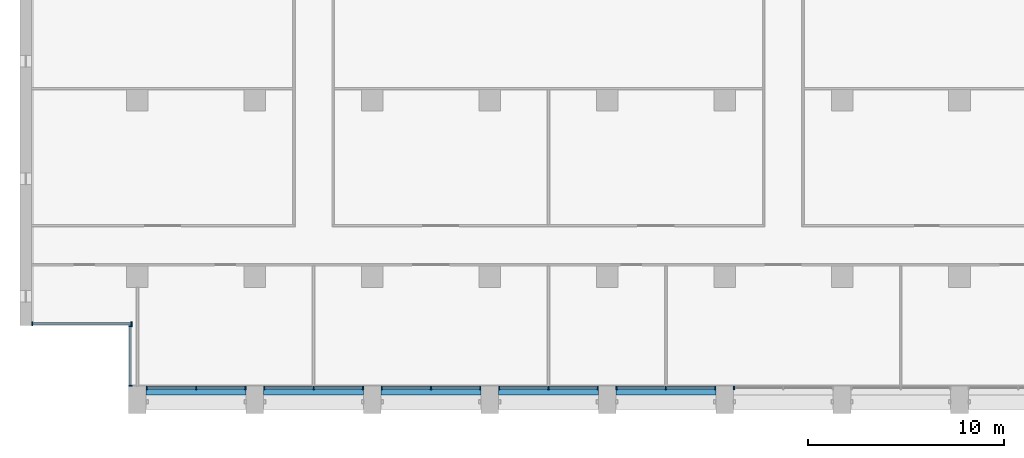
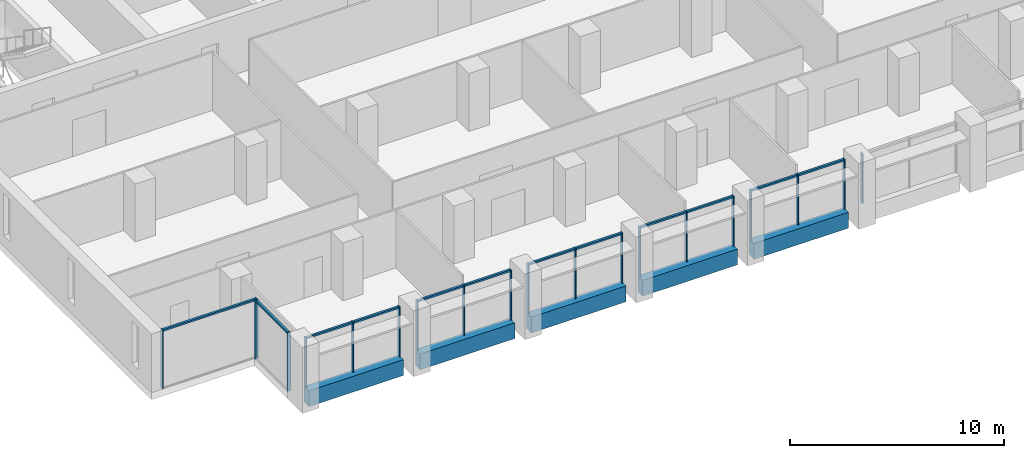
# One storey, part 2 of 17: 32 members, 5 beams, 8 elements without a shape of their own.
"""IFC4 building model written with IfcOpenShell, lengths in metres."""

import ifcopenshell
import ifcopenshell.guid

model = None  # the IFC model being written
_history = None  # IfcOwnerHistory: only IFC2X3 demands one
_inside = {}  # id of a spatial element -> (the spatial element, [elements in it])
_under = {}  # id of a project, library or spatial element -> (it, [spatial elements below it])
_declared = {}  # id of a project -> (the project, [libraries it declares])
_typed = {}  # id of a type object -> (the type object, [elements of that type])
_made_of = {}  # id of a material, layer set ... -> (it, [elements and type objects made of it])


def new_model(schema):
    """Start an empty IFC model of exactly this schema.

    Asked for "IFC4X3", IfcOpenShell would pick the latest addendum, in which some entities
    have other attributes; the version numbers below select the first issue.
    IFC2X3 requires an IfcOwnerHistory on every rooted entity: one is made here for all.
    """
    global model, _history
    if schema == "IFC4X3":
        model = ifcopenshell.file(schema_version=(4, 3, 0, 0))
    else:
        model = ifcopenshell.file(schema=schema)
    _inside.clear()
    _under.clear()
    _declared.clear()
    _typed.clear()
    _made_of.clear()
    _history = None
    if model.schema == "IFC2X3":
        org = make("IfcOrganization", Name="unknown")
        user = make(
            "IfcPersonAndOrganization",
            ThePerson=make("IfcPerson", FamilyName="unknown"),
            TheOrganization=org,
        )
        app = make(
            "IfcApplication",
            ApplicationDeveloper=org,
            Version="unknown",
            ApplicationFullName="unknown",
            ApplicationIdentifier="unknown",
        )
        _history = make(
            "IfcOwnerHistory",
            OwningUser=user,
            OwningApplication=app,
            ChangeAction="ADDED",
            CreationDate=0,
        )
    return model


def make(cls, **values):
    """One entity of the class cls with the attributes given. An attribute that is None is left unset."""
    return model.create_entity(
        cls, **{name: value for name, value in values.items() if value is not None}
    )


def rooted(cls, **values):
    """An entity with a GlobalId (a new one), such as an element, a storey or a relation."""
    return make(cls, GlobalId=ifcopenshell.guid.new(), OwnerHistory=_history, **values)


def si_unit(unit_type, name, prefix=None):
    """IfcSIUnit, for example si_unit("LENGTHUNIT", "METRE", prefix="MILLI")."""
    return make("IfcSIUnit", UnitType=unit_type, Prefix=prefix, Name=name)


def assignment(units):
    """IfcUnitAssignment: the units of a project."""
    return None if units is None else make("IfcUnitAssignment", Units=units)


def point(xyz):
    """IfcCartesianPoint."""
    return None if xyz is None else make("IfcCartesianPoint", Coordinates=xyz)


def direction(xyz):
    """IfcDirection."""
    return None if xyz is None else make("IfcDirection", DirectionRatios=xyz)


def frame(location, z_axis=None, x_axis=None):
    """IfcAxis2Placement3D, a coordinate frame: its origin and axes. An axis left out is left unset."""
    return make(
        "IfcAxis2Placement3D",
        Location=point(location),
        Axis=direction(z_axis),
        RefDirection=direction(x_axis),
    )


def frame_2d(location, x_axis=None):
    """IfcAxis2Placement2D, a coordinate frame in the plane: its origin and x axis."""
    return make(
        "IfcAxis2Placement2D", Location=point(location), RefDirection=direction(x_axis)
    )


def origin():
    """The frame at (0, 0, 0) with its axes left unset."""
    return frame((0.0, 0.0, 0.0))


def origin_2d():
    """The frame at (0, 0) in the plane with its x axis left unset."""
    return frame_2d((0.0, 0.0))


def place(relative_to, where):
    """IfcLocalPlacement: puts the frame where relative to a parent placement (None: the world)."""
    return make(
        "IfcLocalPlacement", PlacementRelTo=relative_to, RelativePlacement=where
    )


def context(
    kind, dimensions, precision=None, world=None, true_north=None, identifier=None
):
    """IfcGeometricRepresentationContext, for example the 3D "Model" context."""
    return make(
        "IfcGeometricRepresentationContext",
        ContextIdentifier=identifier,
        ContextType=kind,
        CoordinateSpaceDimension=dimensions,
        Precision=precision,
        WorldCoordinateSystem=world,
        TrueNorth=true_north,
    )


def subcontext(parent, identifier, kind, view, scale=None):
    """IfcGeometricRepresentationSubContext, for example "Body" below "Model"."""
    return make(
        "IfcGeometricRepresentationSubContext",
        ContextIdentifier=identifier,
        ContextType=kind,
        ParentContext=parent,
        TargetScale=scale,
        TargetView=view,
    )


def project(units=None, contexts=None):
    """IfcProject with its units and contexts."""
    return rooted(
        "IfcProject",
        Name="project",
        RepresentationContexts=contexts,
        UnitsInContext=assignment(units),
    )


def spatial(cls, under=None, at=None, **own):
    """A site, building, storey or space (cls), placed at a placement, below another one or the project."""
    s = rooted(cls, ObjectPlacement=at, **own)
    if under is not None:
        _under.setdefault(under.id(), (under, []))[1].append(s)
    return s


def profile(cls, at=None, kind="AREA", **sizes):
    """A parametric profile (cls). Its sizes go by their IFC names, for example OverallWidth=200.0."""
    return make(cls, ProfileType=kind, Position=at, **sizes)


def rectangle(**sizes):
    """IfcRectangleProfileDef."""
    return profile("IfcRectangleProfileDef", **sizes)


def extrude(swept, where, along, depth):
    """IfcExtrudedAreaSolid: the profile swept, set in the frame where, extruded along a direction by depth."""
    return make(
        "IfcExtrudedAreaSolid",
        SweptArea=swept,
        Position=where,
        ExtrudedDirection=direction(along),
        Depth=depth,
    )


def shape(context_of_items, identifier, shape_type, items):
    """IfcShapeRepresentation: the items that make up one representation, for example the "Body"."""
    return make(
        "IfcShapeRepresentation",
        ContextOfItems=context_of_items,
        RepresentationIdentifier=identifier,
        RepresentationType=shape_type,
        Items=items,
    )


def material(Name=None, Category=None):
    """IfcMaterial."""
    return make("IfcMaterial", Name=Name, Category=Category)


def material_profile(
    of_material, cross_section, Name=None, Category=None, Priority=None
):
    """IfcMaterialProfile: a cross section and its material."""
    return make(
        "IfcMaterialProfile",
        Name=Name,
        Material=of_material,
        Profile=cross_section,
        Priority=Priority,
        Category=Category,
    )


def profile_set(profiles, Name=None, composite=None):
    """IfcMaterialProfileSet."""
    return make(
        "IfcMaterialProfileSet",
        Name=Name,
        MaterialProfiles=profiles,
        CompositeProfile=composite,
    )


def made_of(thing, what):
    """Note that an element or type object is made of a material, layer set ...; save() writes the relation."""
    if what is not None:
        _made_of.setdefault(what.id(), (what, []))[1].append(thing)
    return thing


def type_object(cls, material=None, **own):
    """A type object (cls), such as IfcWallType, which elements share."""
    return made_of(rooted(cls, **own), material)


def element(
    cls,
    number,
    at=None,
    inside=None,
    cuts=None,
    type_object=None,
    material=None,
    context=None,
    identifier="Body",
    shape_type=None,
    held_by="IfcProductDefinitionShape",
    body=None,
    shapes=None,
    **own,
):
    """One element of the class cls, such as IfcWall. Its Tag is "e" and its number.

    at: its placement. inside: the storey or other place that contains it. cuts: it is an
    opening in that element (IfcRelVoidsElement). A single representation is given by context,
    identifier, shape_type and body (its items); several are given by shapes. held_by: the class
    of the entity that holds the representations. save() writes the other relations.
    """
    e = rooted(cls, Tag="e%d" % number, ObjectPlacement=at, **own)
    if body is not None:
        shapes = [shape(context, identifier, shape_type, body)]
    if shapes is not None:
        e.Representation = make(held_by, Representations=shapes)
    if inside is not None:
        _inside.setdefault(inside.id(), (inside, []))[1].append(e)
    if cuts is not None:
        rooted(
            "IfcRelVoidsElement", RelatingBuildingElement=cuts, RelatedOpeningElement=e
        )
    if type_object is not None:
        _typed.setdefault(type_object.id(), (type_object, []))[1].append(e)
    return made_of(e, material)


def aggregate(whole, parts):
    """IfcRelAggregates: a whole, such as a stair, and the parts it consists of."""
    return rooted("IfcRelAggregates", RelatingObject=whole, RelatedObjects=parts)


def save(model, path):
    """Write the relations noted so far, then the file.

    IfcRelAggregates (storeys below a building ...), IfcRelContainedInSpatialStructure (elements
    in a storey), IfcRelDefinesByType, IfcRelAssociatesMaterial and IfcRelDeclares: one each for
    every whole, place, type object, material and project.
    """
    for whole, parts in _under.values():
        aggregate(whole, parts)
    for where, things in _inside.values():
        rooted(
            "IfcRelContainedInSpatialStructure",
            RelatedElements=things,
            RelatingStructure=where,
        )
    for kind, things in _typed.values():
        rooted("IfcRelDefinesByType", RelatedObjects=things, RelatingType=kind)
    for what, things in _made_of.values():
        rooted("IfcRelAssociatesMaterial", RelatedObjects=things, RelatingMaterial=what)
    for by, libraries in _declared.values():
        rooted("IfcRelDeclares", RelatingContext=by, RelatedDefinitions=libraries)
    model.write(path)


model = new_model("IFC4")

# Units and contexts
model_context = context("Model", 3, precision=1e-05, world=origin(), true_north=direction((0.0, 1.0)))
body_context = subcontext(model_context, "Body", "Model", "MODEL_VIEW")
ifc_project = project(units=[si_unit("LENGTHUNIT", "METRE"), si_unit("AREAUNIT", "SQUARE_METRE"), si_unit("VOLUMEUNIT", "CUBIC_METRE"), si_unit("PLANEANGLEUNIT", "RADIAN"), si_unit("MASSUNIT", "GRAM", prefix="KILO")], contexts=[model_context])

# Site, building, storey
site_placement = place(None, origin())
site = spatial("IfcSite", under=ifc_project, at=site_placement, CompositionType="ELEMENT")
building_placement = place(site_placement, origin())
building = spatial("IfcBuilding", under=site, at=building_placement, Name="Calvaro Tower", CompositionType="ELEMENT")
storey_placement = place(building_placement, frame((0.0, 0.0, 193.0)))
storey = spatial("IfcBuildingStorey", under=building, at=storey_placement, Name="L48", CompositionType="ELEMENT", Elevation=193.0)

# Curtain wall, members
ifc_material_1 = material(Name="Anodised aluminium", Category="aluminium")
curtain_wall_type = type_object("IfcCurtainWallType", Name="Office curtain wall, upper zone", PredefinedType="NOTDEFINED", material=ifc_material_1)
curtain_wall_1_placement = place(storey_placement, origin())
curtain_wall_1 = element("IfcCurtainWall", 1, at=curtain_wall_1_placement, inside=storey, type_object=curtain_wall_type, Name="CW3 south curtain wall", PredefinedType="NOTDEFINED")
ifc_material_2 = material(Name="Anodised aluminium", Category="aluminium")
ifc_material_profile_1 = material_profile(ifc_material_2, rectangle(XDim=0.179931640625, YDim=0.06005859375, at=origin_2d()), Name="Mullion S3 60 x 180")
ifc_profile_set_1 = profile_set([ifc_material_profile_1], Name="Anodised aluminium")
member_type_1 = type_object("IfcMemberType", Name="Mullion S3 60 x 180", PredefinedType="MULLION", material=ifc_profile_set_1)
member_1_placement = place(storey_placement, frame((12.47998046875, 4.31005859375, 0.0), z_axis=(0.0, 0.0, 1.0), x_axis=(0.0, 1.0, 0.0)))
member_1 = element("IfcMember", 2, at=member_1_placement, type_object=member_type_1, Name="CW3 mullion 1", PredefinedType="MULLION", context=body_context, shape_type="SweptSolid", body=[
    extrude(rectangle(XDim=0.179931640625, YDim=0.06005859375, at=origin_2d()), origin(), (0.0, 0.0, 1.0), 2.85009765625),
])
member_2_placement = place(storey_placement, frame((15.0, 4.31005859375, 0.0), z_axis=(0.0, 0.0, 1.0), x_axis=(0.0, 1.0, 0.0)))
member_2 = element("IfcMember", 3, at=member_2_placement, type_object=member_type_1, Name="CW3 mullion 2", PredefinedType="MULLION", context=body_context, shape_type="SweptSolid", body=[
    extrude(rectangle(XDim=0.179931640625, YDim=0.06005859375, at=origin_2d()), origin(), (0.0, 0.0, 1.0), 2.85009765625),
])
member_3_placement = place(storey_placement, frame((17.52001953125, 4.31005859375, 0.0), z_axis=(0.0, 0.0, 1.0), x_axis=(0.0, 1.0, 0.0)))
member_3 = element("IfcMember", 4, at=member_3_placement, type_object=member_type_1, Name="CW3 mullion 3", PredefinedType="MULLION", context=body_context, shape_type="SweptSolid", body=[
    extrude(rectangle(XDim=0.179931640625, YDim=0.06005859375, at=origin_2d()), origin(), (0.0, 0.0, 1.0), 2.85009765625),
])

curtain_wall_2_placement = place(storey_placement, origin())
curtain_wall_2 = element("IfcCurtainWall", 5, at=curtain_wall_2_placement, inside=storey, type_object=curtain_wall_type, Name="CW3 south curtain wall", PredefinedType="NOTDEFINED")
member_4_placement = place(storey_placement, frame((18.47998046875, 4.31005859375, 0.0), z_axis=(0.0, 0.0, 1.0), x_axis=(0.0, 1.0, 0.0)))
member_4 = element("IfcMember", 6, at=member_4_placement, type_object=member_type_1, Name="CW3 mullion 1", PredefinedType="MULLION", context=body_context, shape_type="SweptSolid", body=[
    extrude(rectangle(XDim=0.179931640625, YDim=0.06005859375, at=origin_2d()), origin(), (0.0, 0.0, 1.0), 2.85009765625),
])
member_5_placement = place(storey_placement, frame((21.0, 4.31005859375, 0.0), z_axis=(0.0, 0.0, 1.0), x_axis=(0.0, 1.0, 0.0)))
member_5 = element("IfcMember", 7, at=member_5_placement, type_object=member_type_1, Name="CW3 mullion 2", PredefinedType="MULLION", context=body_context, shape_type="SweptSolid", body=[
    extrude(rectangle(XDim=0.179931640625, YDim=0.06005859375, at=origin_2d()), origin(), (0.0, 0.0, 1.0), 2.85009765625),
])
member_6_placement = place(storey_placement, frame((23.52001953125, 4.31005859375, 0.0), z_axis=(0.0, 0.0, 1.0), x_axis=(0.0, 1.0, 0.0)))
member_6 = element("IfcMember", 8, at=member_6_placement, type_object=member_type_1, Name="CW3 mullion 3", PredefinedType="MULLION", context=body_context, shape_type="SweptSolid", body=[
    extrude(rectangle(XDim=0.179931640625, YDim=0.06005859375, at=origin_2d()), origin(), (0.0, 0.0, 1.0), 2.85009765625),
])

curtain_wall_3_placement = place(storey_placement, origin())
curtain_wall_3 = element("IfcCurtainWall", 9, at=curtain_wall_3_placement, inside=storey, type_object=curtain_wall_type, Name="CW3 south curtain wall", PredefinedType="NOTDEFINED")
member_7_placement = place(storey_placement, frame((24.47998046875, 4.31005859375, 0.0), z_axis=(0.0, 0.0, 1.0), x_axis=(0.0, 1.0, 0.0)))
member_7 = element("IfcMember", 10, at=member_7_placement, type_object=member_type_1, Name="CW3 mullion 1", PredefinedType="MULLION", context=body_context, shape_type="SweptSolid", body=[
    extrude(rectangle(XDim=0.179931640625, YDim=0.06005859375, at=origin_2d()), origin(), (0.0, 0.0, 1.0), 2.85009765625),
])
member_8_placement = place(storey_placement, frame((27.0, 4.31005859375, 0.0), z_axis=(0.0, 0.0, 1.0), x_axis=(0.0, 1.0, 0.0)))
member_8 = element("IfcMember", 11, at=member_8_placement, type_object=member_type_1, Name="CW3 mullion 2", PredefinedType="MULLION", context=body_context, shape_type="SweptSolid", body=[
    extrude(rectangle(XDim=0.179931640625, YDim=0.06005859375, at=origin_2d()), origin(), (0.0, 0.0, 1.0), 2.85009765625),
])
member_9_placement = place(storey_placement, frame((29.52001953125, 4.31005859375, 0.0), z_axis=(0.0, 0.0, 1.0), x_axis=(0.0, 1.0, 0.0)))
member_9 = element("IfcMember", 12, at=member_9_placement, type_object=member_type_1, Name="CW3 mullion 3", PredefinedType="MULLION", context=body_context, shape_type="SweptSolid", body=[
    extrude(rectangle(XDim=0.179931640625, YDim=0.06005859375, at=origin_2d()), origin(), (0.0, 0.0, 1.0), 2.85009765625),
])

curtain_wall_4_placement = place(storey_placement, origin())
curtain_wall_4 = element("IfcCurtainWall", 13, at=curtain_wall_4_placement, inside=storey, type_object=curtain_wall_type, Name="CW3 south curtain wall", PredefinedType="NOTDEFINED")
member_10_placement = place(storey_placement, frame((30.47998046875, 4.31005859375, 0.0), z_axis=(0.0, 0.0, 1.0), x_axis=(0.0, 1.0, 0.0)))
member_10 = element("IfcMember", 14, at=member_10_placement, type_object=member_type_1, Name="CW3 mullion 1", PredefinedType="MULLION", context=body_context, shape_type="SweptSolid", body=[
    extrude(rectangle(XDim=0.179931640625, YDim=0.06005859375, at=origin_2d()), origin(), (0.0, 0.0, 1.0), 2.85009765625),
])
member_11_placement = place(storey_placement, frame((33.0, 4.31005859375, 0.0), z_axis=(0.0, 0.0, 1.0), x_axis=(0.0, 1.0, 0.0)))
member_11 = element("IfcMember", 15, at=member_11_placement, type_object=member_type_1, Name="CW3 mullion 2", PredefinedType="MULLION", context=body_context, shape_type="SweptSolid", body=[
    extrude(rectangle(XDim=0.179931640625, YDim=0.06005859375, at=origin_2d()), origin(), (0.0, 0.0, 1.0), 2.85009765625),
])
member_12_placement = place(storey_placement, frame((35.52001953125, 4.31005859375, 0.0), z_axis=(0.0, 0.0, 1.0), x_axis=(0.0, 1.0, 0.0)))
member_12 = element("IfcMember", 16, at=member_12_placement, type_object=member_type_1, Name="CW3 mullion 3", PredefinedType="MULLION", context=body_context, shape_type="SweptSolid", body=[
    extrude(rectangle(XDim=0.179931640625, YDim=0.06005859375, at=origin_2d()), origin(), (0.0, 0.0, 1.0), 2.85009765625),
])

curtain_wall_5_placement = place(storey_placement, origin())
curtain_wall_5 = element("IfcCurtainWall", 17, at=curtain_wall_5_placement, inside=storey, type_object=curtain_wall_type, Name="CW3 south curtain wall", PredefinedType="NOTDEFINED")
member_13_placement = place(storey_placement, frame((36.47998046875, 4.31005859375, 0.0), z_axis=(0.0, 0.0, 1.0), x_axis=(0.0, 1.0, 0.0)))
member_13 = element("IfcMember", 18, at=member_13_placement, type_object=member_type_1, Name="CW3 mullion 1", PredefinedType="MULLION", context=body_context, shape_type="SweptSolid", body=[
    extrude(rectangle(XDim=0.179931640625, YDim=0.06005859375, at=origin_2d()), origin(), (0.0, 0.0, 1.0), 2.85009765625),
])
member_14_placement = place(storey_placement, frame((39.0, 4.31005859375, 0.0), z_axis=(0.0, 0.0, 1.0), x_axis=(0.0, 1.0, 0.0)))
member_14 = element("IfcMember", 19, at=member_14_placement, type_object=member_type_1, Name="CW3 mullion 2", PredefinedType="MULLION", context=body_context, shape_type="SweptSolid", body=[
    extrude(rectangle(XDim=0.179931640625, YDim=0.06005859375, at=origin_2d()), origin(), (0.0, 0.0, 1.0), 2.85009765625),
])
member_15_placement = place(storey_placement, frame((41.52001953125, 4.31005859375, 0.0), z_axis=(0.0, 0.0, 1.0), x_axis=(0.0, 1.0, 0.0)))
member_15 = element("IfcMember", 20, at=member_15_placement, type_object=member_type_1, Name="CW3 mullion 3", PredefinedType="MULLION", context=body_context, shape_type="SweptSolid", body=[
    extrude(rectangle(XDim=0.179931640625, YDim=0.06005859375, at=origin_2d()), origin(), (0.0, 0.0, 1.0), 2.85009765625),
])

# Curtain wall, member
curtain_wall_6_placement = place(storey_placement, origin())
curtain_wall_6 = element("IfcCurtainWall", 21, at=curtain_wall_6_placement, inside=storey, type_object=curtain_wall_type, Name="CW3 south curtain wall", PredefinedType="NOTDEFINED")
member_16_placement = place(storey_placement, frame((42.47998046875, 4.31005859375, 0.0), z_axis=(0.0, 0.0, 1.0), x_axis=(0.0, 1.0, 0.0)))
member_16 = element("IfcMember", 22, at=member_16_placement, type_object=member_type_1, Name="CW3 mullion 1", PredefinedType="MULLION", context=body_context, shape_type="SweptSolid", body=[
    extrude(rectangle(XDim=0.179931640625, YDim=0.06005859375, at=origin_2d()), origin(), (0.0, 0.0, 1.0), 2.85009765625),
])
aggregate(curtain_wall_6, [member_16])

# Curtain wall, members
curtain_wall_7_placement = place(storey_placement, origin())
curtain_wall_7 = element("IfcCurtainWall", 23, at=curtain_wall_7_placement, inside=storey, type_object=curtain_wall_type, Name="CW3 corner curtain wall", PredefinedType="NOTDEFINED")
member_17_placement = place(storey_placement, frame((11.639892578125, 4.429931640625, 0.0), z_axis=(0.0, 0.0, 1.0), x_axis=(-1.0, 0.0, 0.0)))
member_17 = element("IfcMember", 24, at=member_17_placement, type_object=member_type_1, Name="CW3 mullion 1", PredefinedType="MULLION", context=body_context, shape_type="SweptSolid", body=[
    extrude(rectangle(XDim=0.179931640625, YDim=0.06005859375, at=origin_2d()), origin(), (0.0, 0.0, 1.0), 3.35009765625),
])
member_18_placement = place(storey_placement, frame((11.639892578125, 7.469970703125, 0.0), z_axis=(0.0, 0.0, 1.0), x_axis=(-1.0, 0.0, 0.0)))
member_18 = element("IfcMember", 25, at=member_18_placement, type_object=member_type_1, Name="CW3 mullion 2", PredefinedType="MULLION", context=body_context, shape_type="SweptSolid", body=[
    extrude(rectangle(XDim=0.179931640625, YDim=0.06005859375, at=origin_2d()), origin(), (0.0, 0.0, 1.0), 3.35009765625),
])

curtain_wall_8_placement = place(storey_placement, origin())
curtain_wall_8 = element("IfcCurtainWall", 26, at=curtain_wall_8_placement, inside=storey, type_object=curtain_wall_type, Name="CW3 corner curtain wall", PredefinedType="NOTDEFINED")
member_19_placement = place(storey_placement, frame((6.6298828125, 7.590087890625, 0.0), z_axis=(0.0, 0.0, 1.0), x_axis=(0.0, 1.0, 0.0)))
member_19 = element("IfcMember", 27, at=member_19_placement, type_object=member_type_1, Name="CW3 mullion 1", PredefinedType="MULLION", context=body_context, shape_type="SweptSolid", body=[
    extrude(rectangle(XDim=0.179931640625, YDim=0.06005859375, at=origin_2d()), origin(), (0.0, 0.0, 1.0), 3.35009765625),
])
member_20_placement = place(storey_placement, frame((11.699951171875, 7.590087890625, 0.0), z_axis=(0.0, 0.0, 1.0), x_axis=(0.0, 1.0, 0.0)))
member_20 = element("IfcMember", 28, at=member_20_placement, type_object=member_type_1, Name="CW3 mullion 2", PredefinedType="MULLION", context=body_context, shape_type="SweptSolid", body=[
    extrude(rectangle(XDim=0.179931640625, YDim=0.06005859375, at=origin_2d()), origin(), (0.0, 0.0, 1.0), 3.35009765625),
])

# Beams
ifc_material_3 = material(Name="Concrete C50/60 precast", Category="concrete")
ifc_material_profile_2 = material_profile(ifc_material_3, rectangle(XDim=0.449951171875, YDim=0.89990234375, at=origin_2d()), Name="RC 450x900")
ifc_profile_set_2 = profile_set([ifc_material_profile_2], Name="Concrete C50/60 precast")
beam_type = type_object("IfcBeamType", Name="Spandrel beam 450x900 C50/60", PredefinedType="SPANDREL", material=ifc_profile_set_2)
for number, where, z_axis, x_axis, name in (
    (29, (12.449951171875, 4.175048828125, -0.449951171875), (1.0, 0.0, 0.0), (0.0, 1.0, 0.0), "Spandrel beam"),
    (30, (18.449951171875, 4.175048828125, -0.449951171875), (1.0, 0.0, 0.0), (0.0, 1.0, 0.0), "Spandrel beam"),
    (31, (24.449951171875, 4.175048828125, -0.449951171875), (1.0, 0.0, 0.0), (0.0, 1.0, 0.0), "Spandrel beam"),
    (32, (30.449951171875, 4.175048828125, -0.449951171875), (1.0, 0.0, 0.0), (0.0, 1.0, 0.0), "Spandrel beam"),
    (33, (36.449951171875, 4.175048828125, -0.449951171875), (1.0, 0.0, 0.0), (0.0, 1.0, 0.0), "Spandrel beam"),
):
    element("IfcBeam", number, at=place(storey_placement, frame(where, z_axis=z_axis, x_axis=x_axis)), inside=storey, type_object=beam_type, Name=name, PredefinedType="SPANDREL", context=body_context, shape_type="SweptSolid", body=[
        extrude(rectangle(XDim=0.449951171875, YDim=0.89990234375, at=origin_2d()), origin(), (0.0, 0.0, 1.0), 5.10009765625),
    ])

# Member
ifc_material_4 = material(Name="Anodised aluminium", Category="aluminium")
ifc_material_profile_3 = material_profile(ifc_material_4, rectangle(XDim=0.1201171875, YDim=0.10009765625, at=origin_2d()), Name="Transom S3 100 x 120")
ifc_profile_set_3 = profile_set([ifc_material_profile_3], Name="Anodised aluminium")
member_type_2 = type_object("IfcMemberType", Name="Transom S3 100 x 120", PredefinedType="USERDEFINED", material=ifc_profile_set_3)
member_21_placement = place(storey_placement, frame((12.510009765625, 4.31005859375, 2.800048828125), z_axis=(1.0, 0.0, 0.0), x_axis=(0.0, 1.0, 0.0)))
member_21 = element("IfcMember", 34, at=member_21_placement, type_object=member_type_2, Name="CW3 transom 1.1", ObjectType="TRANSOM", PredefinedType="USERDEFINED", context=body_context, shape_type="SweptSolid", body=[
    extrude(rectangle(XDim=0.1201171875, YDim=0.10009765625, at=origin_2d()), origin(), (0.0, 0.0, 1.0), 2.4599609375),
])

member_22_placement = place(storey_placement, frame((15.030029296875, 4.31005859375, 2.800048828125), z_axis=(1.0, 0.0, 0.0), x_axis=(0.0, 1.0, 0.0)))
member_22 = element("IfcMember", 35, at=member_22_placement, type_object=member_type_2, Name="CW3 transom 2.1", ObjectType="TRANSOM", PredefinedType="USERDEFINED", context=body_context, shape_type="SweptSolid", body=[
    extrude(rectangle(XDim=0.1201171875, YDim=0.10009765625, at=origin_2d()), origin(), (0.0, 0.0, 1.0), 2.4599609375),
])

aggregate(curtain_wall_1, [member_1, member_2, member_3, member_21, member_22])

member_23_placement = place(storey_placement, frame((18.510009765625, 4.31005859375, 2.800048828125), z_axis=(1.0, 0.0, 0.0), x_axis=(0.0, 1.0, 0.0)))
member_23 = element("IfcMember", 36, at=member_23_placement, type_object=member_type_2, Name="CW3 transom 1.1", ObjectType="TRANSOM", PredefinedType="USERDEFINED", context=body_context, shape_type="SweptSolid", body=[
    extrude(rectangle(XDim=0.1201171875, YDim=0.10009765625, at=origin_2d()), origin(), (0.0, 0.0, 1.0), 2.4599609375),
])

member_24_placement = place(storey_placement, frame((21.030029296875, 4.31005859375, 2.800048828125), z_axis=(1.0, 0.0, 0.0), x_axis=(0.0, 1.0, 0.0)))
member_24 = element("IfcMember", 37, at=member_24_placement, type_object=member_type_2, Name="CW3 transom 2.1", ObjectType="TRANSOM", PredefinedType="USERDEFINED", context=body_context, shape_type="SweptSolid", body=[
    extrude(rectangle(XDim=0.1201171875, YDim=0.10009765625, at=origin_2d()), origin(), (0.0, 0.0, 1.0), 2.4599609375),
])

aggregate(curtain_wall_2, [member_4, member_5, member_6, member_23, member_24])

member_25_placement = place(storey_placement, frame((24.510009765625, 4.31005859375, 2.800048828125), z_axis=(1.0, 0.0, 0.0), x_axis=(0.0, 1.0, 0.0)))
member_25 = element("IfcMember", 38, at=member_25_placement, type_object=member_type_2, Name="CW3 transom 1.1", ObjectType="TRANSOM", PredefinedType="USERDEFINED", context=body_context, shape_type="SweptSolid", body=[
    extrude(rectangle(XDim=0.1201171875, YDim=0.10009765625, at=origin_2d()), origin(), (0.0, 0.0, 1.0), 2.4599609375),
])

member_26_placement = place(storey_placement, frame((27.030029296875, 4.31005859375, 2.800048828125), z_axis=(1.0, 0.0, 0.0), x_axis=(0.0, 1.0, 0.0)))
member_26 = element("IfcMember", 39, at=member_26_placement, type_object=member_type_2, Name="CW3 transom 2.1", ObjectType="TRANSOM", PredefinedType="USERDEFINED", context=body_context, shape_type="SweptSolid", body=[
    extrude(rectangle(XDim=0.1201171875, YDim=0.10009765625, at=origin_2d()), origin(), (0.0, 0.0, 1.0), 2.4599609375),
])

aggregate(curtain_wall_3, [member_7, member_8, member_9, member_25, member_26])

member_27_placement = place(storey_placement, frame((30.510009765625, 4.31005859375, 2.800048828125), z_axis=(1.0, 0.0, 0.0), x_axis=(0.0, 1.0, 0.0)))
member_27 = element("IfcMember", 40, at=member_27_placement, type_object=member_type_2, Name="CW3 transom 1.1", ObjectType="TRANSOM", PredefinedType="USERDEFINED", context=body_context, shape_type="SweptSolid", body=[
    extrude(rectangle(XDim=0.1201171875, YDim=0.10009765625, at=origin_2d()), origin(), (0.0, 0.0, 1.0), 2.4599609375),
])

member_28_placement = place(storey_placement, frame((33.030029296875, 4.31005859375, 2.800048828125), z_axis=(1.0, 0.0, 0.0), x_axis=(0.0, 1.0, 0.0)))
member_28 = element("IfcMember", 41, at=member_28_placement, type_object=member_type_2, Name="CW3 transom 2.1", ObjectType="TRANSOM", PredefinedType="USERDEFINED", context=body_context, shape_type="SweptSolid", body=[
    extrude(rectangle(XDim=0.1201171875, YDim=0.10009765625, at=origin_2d()), origin(), (0.0, 0.0, 1.0), 2.4599609375),
])

aggregate(curtain_wall_4, [member_10, member_11, member_12, member_27, member_28])

member_29_placement = place(storey_placement, frame((36.510009765625, 4.31005859375, 2.800048828125), z_axis=(1.0, 0.0, 0.0), x_axis=(0.0, 1.0, 0.0)))
member_29 = element("IfcMember", 42, at=member_29_placement, type_object=member_type_2, Name="CW3 transom 1.1", ObjectType="TRANSOM", PredefinedType="USERDEFINED", context=body_context, shape_type="SweptSolid", body=[
    extrude(rectangle(XDim=0.1201171875, YDim=0.10009765625, at=origin_2d()), origin(), (0.0, 0.0, 1.0), 2.4599609375),
])

member_30_placement = place(storey_placement, frame((39.030029296875, 4.31005859375, 2.800048828125), z_axis=(1.0, 0.0, 0.0), x_axis=(0.0, 1.0, 0.0)))
member_30 = element("IfcMember", 43, at=member_30_placement, type_object=member_type_2, Name="CW3 transom 2.1", ObjectType="TRANSOM", PredefinedType="USERDEFINED", context=body_context, shape_type="SweptSolid", body=[
    extrude(rectangle(XDim=0.1201171875, YDim=0.10009765625, at=origin_2d()), origin(), (0.0, 0.0, 1.0), 2.4599609375),
])

aggregate(curtain_wall_5, [member_13, member_14, member_15, member_29, member_30])

member_31_placement = place(storey_placement, frame((11.639892578125, 4.4599609375, 3.300048828125), z_axis=(0.0, 1.0, 0.0), x_axis=(-1.0, 0.0, 0.0)))
member_31 = element("IfcMember", 44, at=member_31_placement, type_object=member_type_2, Name="CW3 transom 1.1", ObjectType="TRANSOM", PredefinedType="USERDEFINED", context=body_context, shape_type="SweptSolid", body=[
    extrude(rectangle(XDim=0.1201171875, YDim=0.10009765625, at=origin_2d()), origin(), (0.0, 0.0, 1.0), 2.97998046875),
])

aggregate(curtain_wall_7, [member_17, member_18, member_31])

member_32_placement = place(storey_placement, frame((6.659912109375, 7.590087890625, 3.300048828125), z_axis=(1.0, 0.0, 0.0), x_axis=(0.0, 1.0, 0.0)))
member_32 = element("IfcMember", 45, at=member_32_placement, type_object=member_type_2, Name="CW3 transom 1.1", ObjectType="TRANSOM", PredefinedType="USERDEFINED", context=body_context, shape_type="SweptSolid", body=[
    extrude(rectangle(XDim=0.1201171875, YDim=0.10009765625, at=origin_2d()), origin(), (0.0, 0.0, 1.0), 5.010009765625),
])

aggregate(curtain_wall_8, [member_19, member_20, member_32])

save(model, "model.ifc")
